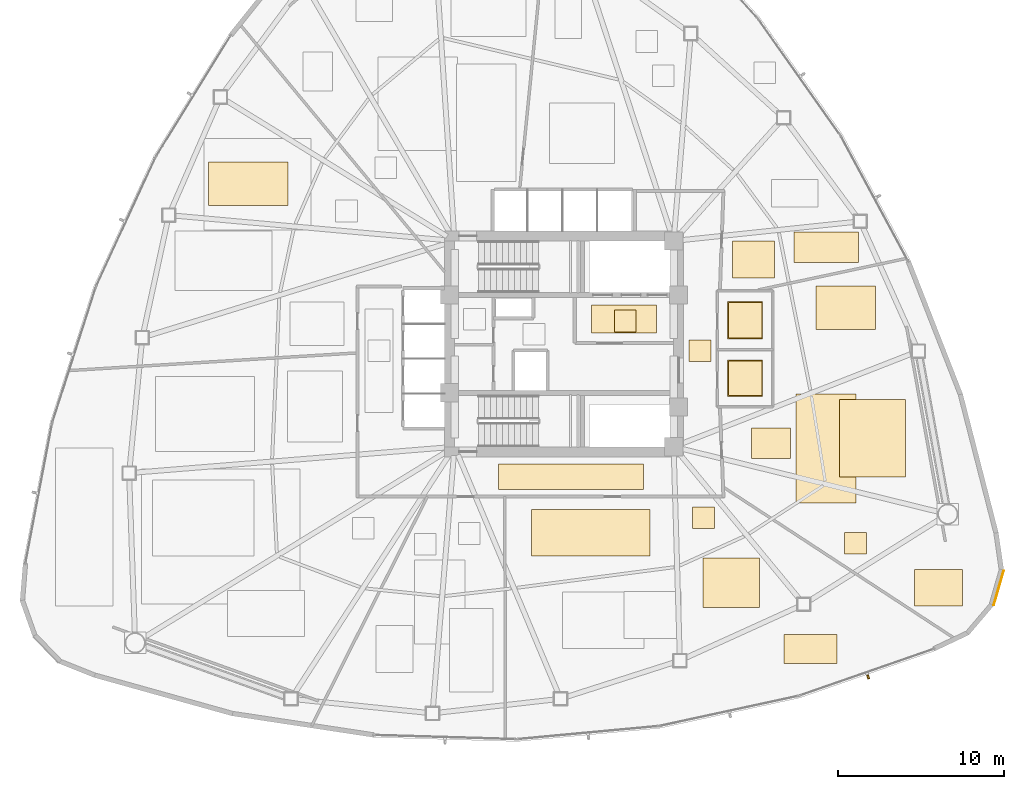
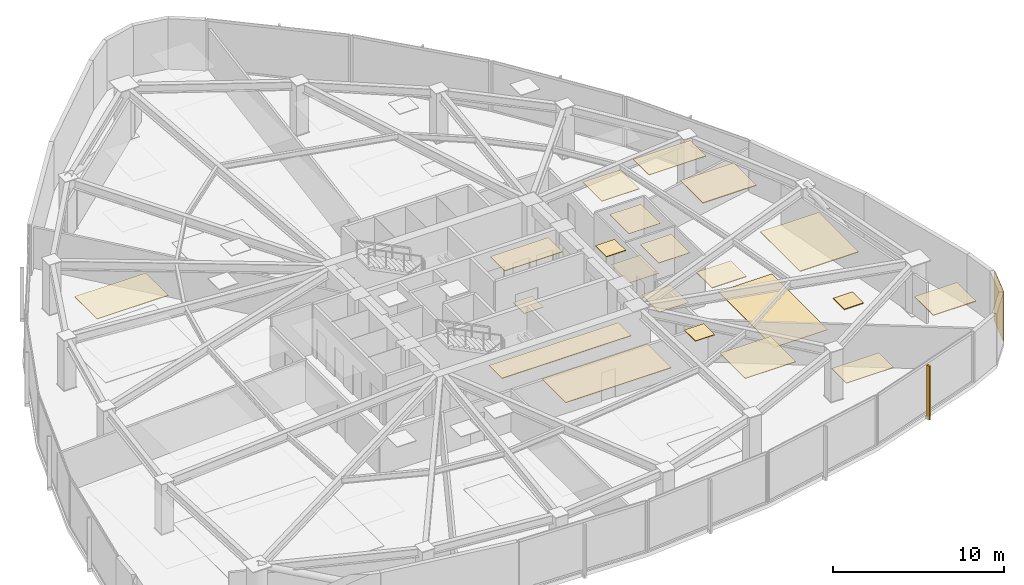
# One storey, part 15 of 16: 22 coverings, 1 shading device.
"""IFC4 building model written with IfcOpenShell, lengths in metres."""

from ifc_helpers import new_model, si_unit, direction, frame, origin, origin_2d, place, context, subcontext, project, spatial, polyline, rectangle, outline, extrude, source, transform, mapped, material, layer, layer_set, type_object, type_shapes, element, save


model = new_model("IFC4")

# Units and contexts
model_context = context("Model", 3, precision=1e-05, world=origin(), true_north=direction((0.0, 1.0)))
body_context = subcontext(model_context, "Body", "Model", "MODEL_VIEW")
ifc_project = project(units=[si_unit("LENGTHUNIT", "METRE"), si_unit("AREAUNIT", "SQUARE_METRE"), si_unit("VOLUMEUNIT", "CUBIC_METRE"), si_unit("PLANEANGLEUNIT", "RADIAN"), si_unit("MASSUNIT", "GRAM", prefix="KILO")], contexts=[model_context])

# Site, building, storey
site_placement = place(None, origin())
site = spatial("IfcSite", under=ifc_project, at=site_placement, CompositionType="ELEMENT")
building_placement = place(site_placement, origin())
building = spatial("IfcBuilding", under=site, at=building_placement, Name="Tavelor Broadcast Tower", CompositionType="ELEMENT")
storey_placement = place(building_placement, frame((0.0, 0.0, 31.5)))
storey = spatial("IfcBuildingStorey", under=building, at=storey_placement, Name="L06", CompositionType="ELEMENT", Elevation=31.5)

# Coverings
ifc_material_1 = material(Name="Copper-Bronze Anodized Aluminium", Category="aluminium")
ifc_layer_1 = layer(ifc_material_1, 0.044921875)
ifc_layer_set_1 = layer_set([ifc_layer_1], Name="Copper-Bronze Anodized Aluminium")
covering_type_1 = type_object("IfcCoveringType", Name="Anodised Bronze Linear Slatted Concourse Ceiling 45 mm", PredefinedType="CEILING", material=ifc_layer_set_1)
covering_1_placement = place(storey_placement, frame((0.0, 0.0, 3.554931640625)))
element("IfcCovering", 1, at=covering_1_placement, inside=storey, type_object=covering_type_1, Name="L06 Suspended Acoustic Ceiling 0161", PredefinedType="CEILING", context=body_context, shape_type="SweptSolid", body=[
    extrude(outline(polyline([(51.659912109375, 45.654296875), (55.55712890625, 45.654296875), (55.55712890625, 47.331787109375), (51.659912109375, 47.331787109375), (51.659912109375, 45.654296875)])), origin(), (0.0, 0.0, 1.0), 0.045166015625),
])
covering_2_placement = place(storey_placement, frame((0.0, 0.0, 3.554931640625)))
element("IfcCovering", 2, at=covering_2_placement, inside=storey, type_object=covering_type_1, Name="L06 Suspended Acoustic Ceiling 0164", PredefinedType="CEILING", context=body_context, shape_type="SweptSolid", body=[
    extrude(outline(polyline([(57.5400390625, 43.925048828125), (58.840087890625, 43.925048828125), (58.840087890625, 45.22509765625), (57.5400390625, 45.22509765625), (57.5400390625, 43.925048828125)])), origin(), (0.0, 0.0, 1.0), 0.045166015625),
])
covering_3_placement = place(storey_placement, frame((0.0, 0.0, 3.554931640625)))
element("IfcCovering", 3, at=covering_3_placement, inside=storey, type_object=covering_type_1, Name="L06 Suspended Acoustic Ceiling 0165", PredefinedType="CEILING", context=body_context, shape_type="SweptSolid", body=[
    extrude(outline(polyline([(46.05078125, 36.23828125), (54.776611328125, 36.23828125), (54.776611328125, 37.76171875), (46.05078125, 37.76171875), (46.05078125, 36.23828125)])), origin(), (0.0, 0.0, 1.0), 0.045166015625),
])
ifc_layer_2 = layer(ifc_material_1, 0.050048828125)
ifc_layer_set_2 = layer_set([ifc_layer_2], Name="Copper-Bronze Anodized Aluminium")
covering_type_2 = type_object("IfcCoveringType", Name="Champagne-Bronze Corner Pier Metal Cladding 50 mm", PredefinedType="CLADDING", material=ifc_layer_set_2)
covering_4_placement = place(storey_placement, frame((76.179443359375, 30.29052734375, 0.02001953125), z_axis=(0.0, 0.0, 1.0), x_axis=(0.276476109834, 0.961020790978, 0.0)))
element("IfcCovering", 4, at=covering_4_placement, inside=storey, type_object=covering_type_2, Name="L06 Champagne-Bronze Corner Cladding 23", PredefinedType="CLADDING", context=body_context, shape_type="SweptSolid", body=[
    extrude(rectangle(XDim=2.168701171875, YDim=0.050048828125, at=origin_2d()), origin(), (0.0, 0.0, 1.0), 3.56005859375),
])
ifc_material_2 = material(Name="Honed Natural Limestone Tile", Category="masonry")
ifc_layer_3 = layer(ifc_material_2, 0.030029296875)
ifc_layer_set_3 = layer_set([ifc_layer_3], Name="Honed Natural Limestone Tile")
covering_type_3 = type_object("IfcCoveringType", Name="Honed Jerusalem Limestone Concourse Flooring 30 mm", PredefinedType="FLOORING", material=ifc_layer_set_3)
covering_5_placement = place(storey_placement, origin())
element("IfcCovering", 5, at=covering_5_placement, inside=storey, type_object=covering_type_3, Name="L06 Broadcast Floor Finish 0062", PredefinedType="FLOORING", context=body_context, shape_type="SweptSolid", body=[
    extrude(outline(polyline([(53.030029296875, 45.728515625), (54.330078125, 45.728515625), (54.330078125, 47.028564453125), (53.030029296875, 47.028564453125), (53.030029296875, 45.728515625)])), origin(), (0.0, 0.0, 1.0), 0.030029296875),
])
ifc_material_3 = material(Name="Acoustic Hardwood Studio Flooring", Category="wood")
ifc_layer_4 = layer(ifc_material_3, 0.034912109375)
ifc_layer_set_4 = layer_set([ifc_layer_4], Name="Acoustic Hardwood Studio Flooring")
covering_type_4 = type_object("IfcCoveringType", Name="Isolated Studio Acoustic Elastomeric Floor Finish 35 mm", PredefinedType="FLOORING", material=ifc_layer_set_4)
covering_6_placement = place(storey_placement, origin())
element("IfcCovering", 6, at=covering_6_placement, inside=storey, type_object=covering_type_4, Name="L06 Broadcast Floor Finish 0072", PredefinedType="FLOORING", context=body_context, shape_type="SweptSolid", body=[
    extrude(outline(polyline([(63.959228515625, 35.421875), (67.585205078125, 35.421875), (67.585205078125, 41.975830078125), (63.959228515625, 41.975830078125), (63.959228515625, 35.421875)])), origin(), (0.0, 0.0, 1.0), 0.034912109375),
])
ifc_material_4 = material(Name="Acoustic Perforated Timber Baffle", Category="wood")
ifc_layer_5 = layer(ifc_material_4, 0.054931640625)
ifc_layer_set_5 = layer_set([ifc_layer_5], Name="Acoustic Perforated Timber Baffle")
covering_type_5 = type_object("IfcCoveringType", Name="Micro-Perforated Acoustic Baffle Studio Ceiling 55 mm", PredefinedType="CEILING", material=ifc_layer_set_5)
covering_7_placement = place(storey_placement, frame((0.0, 0.0, 3.544921875)))
element("IfcCovering", 7, at=covering_7_placement, inside=storey, type_object=covering_type_5, Name="L06 Suspended Acoustic Ceiling 0201", PredefinedType="CEILING", context=body_context, shape_type="SweptSolid", body=[
    extrude(outline(polyline([(61.2998046875, 38.08984375), (63.629638671875, 38.08984375), (63.629638671875, 39.935546875), (61.2998046875, 39.935546875), (61.2998046875, 38.08984375)])), origin(), (0.0, 0.0, 1.0), 0.05517578125),
])
covering_8_placement = place(storey_placement, frame((0.0, 0.0, 3.544921875)))
element("IfcCovering", 8, at=covering_8_placement, inside=storey, type_object=covering_type_5, Name="L06 Suspended Acoustic Ceiling 0202", PredefinedType="CEILING", context=body_context, shape_type="SweptSolid", body=[
    extrude(outline(polyline([(65.165283203125, 45.860107421875), (68.77587890625, 45.860107421875), (68.77587890625, 48.5), (65.165283203125, 48.5), (65.165283203125, 45.860107421875)])), origin(), (0.0, 0.0, 1.0), 0.05517578125),
])
covering_9_placement = place(storey_placement, frame((0.0, 0.0, 3.544921875)))
element("IfcCovering", 9, at=covering_9_placement, inside=storey, type_object=covering_type_5, Name="L06 Suspended Acoustic Ceiling 0203", PredefinedType="CEILING", context=body_context, shape_type="SweptSolid", body=[
    extrude(outline(polyline([(66.60400390625, 36.98828125), (70.559814453125, 36.98828125), (70.559814453125, 41.643798828125), (66.60400390625, 41.643798828125), (66.60400390625, 36.98828125)])), origin(), (0.0, 0.0, 1.0), 0.05517578125),
])
covering_10_placement = place(storey_placement, frame((0.0, 0.0, 3.544921875)))
element("IfcCovering", 10, at=covering_10_placement, inside=storey, type_object=covering_type_5, Name="L06 Suspended Acoustic Ceiling 0204", PredefinedType="CEILING", context=body_context, shape_type="SweptSolid", body=[
    extrude(outline(polyline([(66.90625, 32.332275390625), (68.206298828125, 32.332275390625), (68.206298828125, 33.632080078125), (66.90625, 33.632080078125), (66.90625, 32.332275390625)])), origin(), (0.0, 0.0, 1.0), 0.05517578125),
])
covering_11_placement = place(storey_placement, frame((0.0, 0.0, 3.544921875)))
element("IfcCovering", 11, at=covering_11_placement, inside=storey, type_object=covering_type_5, Name="L06 Suspended Acoustic Ceiling 0205", PredefinedType="CEILING", context=body_context, shape_type="SweptSolid", body=[
    extrude(outline(polyline([(71.10302734375, 29.206298828125), (73.9912109375, 29.206298828125), (73.9912109375, 31.41162109375), (71.10302734375, 31.41162109375), (71.10302734375, 29.206298828125)])), origin(), (0.0, 0.0, 1.0), 0.05517578125),
])
ifc_material_5 = material(Name="Architectural Anodized Aluminium", Category="aluminium")
ifc_layer_6 = layer(ifc_material_5, 0.030029296875)
ifc_layer_set_6 = layer_set([ifc_layer_6], Name="Architectural Anodized Aluminium")
covering_type_6 = type_object("IfcCoveringType", Name="Moisture-Resistant Washroom Ceiling 30 mm", PredefinedType="CEILING", material=ifc_layer_set_6)
covering_12_placement = place(storey_placement, frame((0.0, 0.0, 3.570068359375)))
element("IfcCovering", 12, at=covering_12_placement, inside=storey, type_object=covering_type_6, Name="L06 Suspended Acoustic Ceiling 0167", PredefinedType="CEILING", context=body_context, shape_type="SweptSolid", body=[
    extrude(outline(polyline([(59.85302734375, 41.828369140625), (61.967041015625, 41.828369140625), (61.967041015625, 44.021484375), (59.85302734375, 44.021484375), (59.85302734375, 41.828369140625)])), origin(), (0.0, 0.0, 1.0), 0.030029296875),
])
covering_13_placement = place(storey_placement, frame((0.0, 0.0, 3.570068359375)))
element("IfcCovering", 13, at=covering_13_placement, inside=storey, type_object=covering_type_6, Name="L06 Suspended Acoustic Ceiling 0168", PredefinedType="CEILING", context=body_context, shape_type="SweptSolid", body=[
    extrude(outline(polyline([(59.85302734375, 45.29248046875), (61.967041015625, 45.29248046875), (61.967041015625, 47.5576171875), (59.85302734375, 47.5576171875), (59.85302734375, 45.29248046875)])), origin(), (0.0, 0.0, 1.0), 0.030029296875),
])
ifc_material_6 = material(Name="Slip-Resistant Porcelain Tile")
ifc_layer_7 = layer(ifc_material_6, 0.02490234375)
ifc_layer_set_7 = layer_set([ifc_layer_7], Name="Slip-Resistant Porcelain Tile")
covering_type_7 = type_object("IfcCoveringType", Name="Slip-Resistant Porcelain Wet-Area Floor Tile 25 mm", PredefinedType="FLOORING", material=ifc_layer_set_7)
covering_14_placement = place(storey_placement, origin())
element("IfcCovering", 14, at=covering_14_placement, inside=storey, type_object=covering_type_7, Name="L06 Broadcast Floor Finish 0064", PredefinedType="FLOORING", context=body_context, shape_type="SweptSolid", body=[
    extrude(outline(polyline([(59.91064453125, 41.885986328125), (61.909423828125, 41.885986328125), (61.909423828125, 43.964111328125), (59.91064453125, 43.964111328125), (59.91064453125, 41.885986328125)])), origin(), (0.0, 0.0, 1.0), 0.02490234375),
])
covering_15_placement = place(storey_placement, origin())
element("IfcCovering", 15, at=covering_15_placement, inside=storey, type_object=covering_type_7, Name="L06 Broadcast Floor Finish 0065", PredefinedType="FLOORING", context=body_context, shape_type="SweptSolid", body=[
    extrude(outline(polyline([(59.91064453125, 45.35009765625), (61.909423828125, 45.35009765625), (61.909423828125, 47.5), (59.91064453125, 47.5), (59.91064453125, 45.35009765625)])), origin(), (0.0, 0.0, 1.0), 0.02490234375),
])
ifc_material_7 = material(Name="Acoustic Mineral Fibre Tile")
ifc_layer_8 = layer(ifc_material_7, 0.0400390625)
ifc_layer_set_8 = layer_set([ifc_layer_8], Name="Acoustic Mineral Fibre Tile")
covering_type_8 = type_object("IfcCoveringType", Name="Suspended Acoustic Mineral-Fibre Office Ceiling 40 mm", PredefinedType="CEILING", material=ifc_layer_set_8)
covering_16_placement = place(storey_placement, frame((0.0, 0.0, 3.56005859375)))
element("IfcCovering", 16, at=covering_16_placement, inside=storey, type_object=covering_type_8, Name="L06 Suspended Acoustic Ceiling 0169", PredefinedType="CEILING", context=body_context, shape_type="SweptSolid", body=[
    extrude(outline(polyline([(63.24462890625, 25.745361328125), (66.433837890625, 25.745361328125), (66.433837890625, 27.479736328125), (63.24462890625, 27.479736328125), (63.24462890625, 25.745361328125)])), origin(), (0.0, 0.0, 1.0), 0.0400390625),
])
covering_17_placement = place(storey_placement, frame((0.0, 0.0, 3.56005859375)))
element("IfcCovering", 17, at=covering_17_placement, inside=storey, type_object=covering_type_8, Name="L06 Suspended Acoustic Ceiling 0170", PredefinedType="CEILING", context=body_context, shape_type="SweptSolid", body=[
    extrude(outline(polyline([(48.048095703125, 32.234375), (55.1630859375, 32.234375), (55.1630859375, 35.0126953125), (48.048095703125, 35.0126953125), (48.048095703125, 32.234375)])), origin(), (0.0, 0.0, 1.0), 0.0400390625),
])
covering_18_placement = place(storey_placement, frame((0.0, 0.0, 3.56005859375)))
element("IfcCovering", 18, at=covering_18_placement, inside=storey, type_object=covering_type_8, Name="L06 Suspended Acoustic Ceiling 0171", PredefinedType="CEILING", context=body_context, shape_type="SweptSolid", body=[
    extrude(outline(polyline([(57.7470703125, 33.87890625), (59.047119140625, 33.87890625), (59.047119140625, 35.178955078125), (57.7470703125, 35.178955078125), (57.7470703125, 33.87890625)])), origin(), (0.0, 0.0, 1.0), 0.0400390625),
])
covering_19_placement = place(storey_placement, frame((0.0, 0.0, 3.56005859375)))
element("IfcCovering", 19, at=covering_19_placement, inside=storey, type_object=covering_type_8, Name="L06 Suspended Acoustic Ceiling 0172", PredefinedType="CEILING", context=body_context, shape_type="SweptSolid", body=[
    extrude(outline(polyline([(58.36572265625, 29.121337890625), (61.7841796875, 29.121337890625), (61.7841796875, 32.0966796875), (58.36572265625, 32.0966796875), (58.36572265625, 29.121337890625)])), origin(), (0.0, 0.0, 1.0), 0.0400390625),
])
covering_20_placement = place(storey_placement, frame((0.0, 0.0, 3.56005859375)))
element("IfcCovering", 20, at=covering_20_placement, inside=storey, type_object=covering_type_8, Name="L06 Suspended Acoustic Ceiling 0186", PredefinedType="CEILING", context=body_context, shape_type="SweptSolid", body=[
    extrude(outline(polyline([(28.5634765625, 53.326416015625), (33.379150390625, 53.326416015625), (33.379150390625, 55.96142578125), (28.5634765625, 55.96142578125), (28.5634765625, 53.326416015625)])), origin(), (0.0, 0.0, 1.0), 0.0400390625),
])
covering_21_placement = place(storey_placement, frame((0.0, 0.0, 3.56005859375)))
element("IfcCovering", 21, at=covering_21_placement, inside=storey, type_object=covering_type_8, Name="L06 Suspended Acoustic Ceiling 0197", PredefinedType="CEILING", context=body_context, shape_type="SweptSolid", body=[
    extrude(outline(polyline([(63.85546875, 49.903564453125), (67.724609375, 49.903564453125), (67.724609375, 51.749267578125), (63.85546875, 51.749267578125), (63.85546875, 49.903564453125)])), origin(), (0.0, 0.0, 1.0), 0.0400390625),
])
covering_22_placement = place(storey_placement, frame((0.0, 0.0, 3.56005859375)))
element("IfcCovering", 22, at=covering_22_placement, inside=storey, type_object=covering_type_8, Name="L06 Suspended Acoustic Ceiling 0198", PredefinedType="CEILING", context=body_context, shape_type="SweptSolid", body=[
    extrude(outline(polyline([(60.138671875, 48.9619140625), (62.677490234375, 48.9619140625), (62.677490234375, 51.205322265625), (60.138671875, 51.205322265625), (60.138671875, 48.9619140625)])), origin(), (0.0, 0.0, 1.0), 0.0400390625),
])

# Shading device
ifc_material_8 = material(Name="Kiln-Fired Glazed Terracotta", Category="masonry")
shading_device_type = type_object("IfcShadingDeviceType", Name="Extruded Terracotta Baguette Sun-Screen 110x240", PredefinedType="JALOUSIE", material=ifc_material_8)
shared_shape = source(origin(), body_context, "Body", "SweptSolid", [
    extrude(rectangle(XDim=0.110107421875, YDim=0.239990234375, at=origin_2d()), origin(), (0.0, 0.0, 1.0), 3.840087890625),
])
type_shapes(shading_device_type, [shared_shape])
shading_device_placement = place(storey_placement, frame((68.3212890625, 24.930908203125, -0.26025390625), z_axis=(0.0, 0.0, 1.0), x_axis=(0.944491108816, 0.328536977169, 0.0)))
element("IfcShadingDevice", 23, at=shading_device_placement, inside=storey, type_object=shading_device_type, Name="L06 Terracotta Baguette Fin 32", PredefinedType="JALOUSIE", context=body_context, shape_type="MappedRepresentation", body=[
    mapped(shared_shape, transform((0.0, 0.0, 0.0), scale=1.0)),
])

save(model, "model.ifc")
